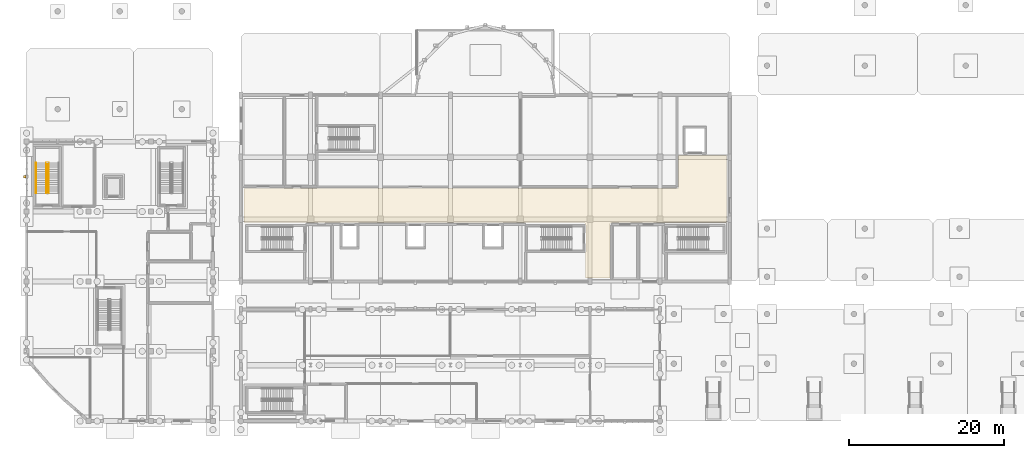
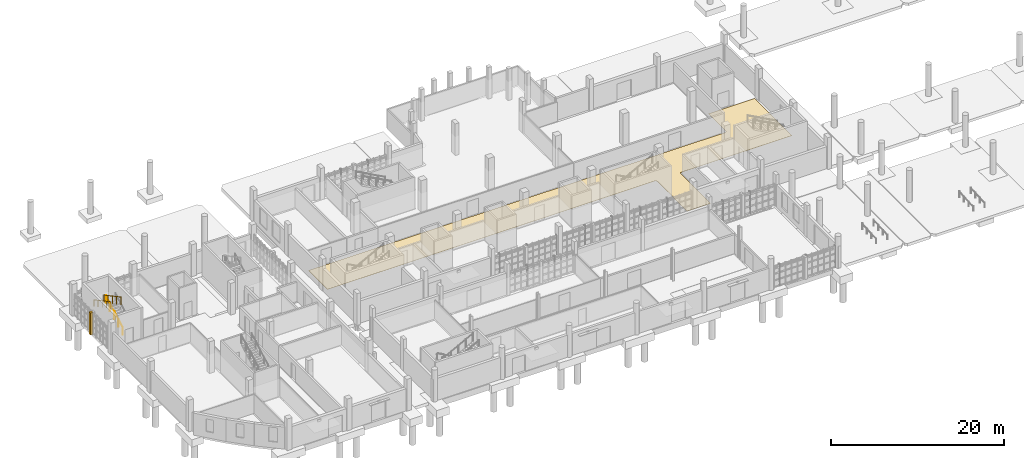
# One storey, part 56 of 63: 3 railings, 2 coverings.
"""IFC4 building model written with IfcOpenShell, lengths in metres."""

from ifc_helpers import new_model, si_unit, direction, frame, origin, origin_2d, place, context, subcontext, project, spatial, polyline, circle, outline, extrude, material, layer, layer_set, type_object, element, save


model = new_model("IFC4")

# Units and contexts
model_context = context("Model", 3, precision=1e-05, world=origin(), true_north=direction((0.0, 1.0)))
body_context = subcontext(model_context, "Body", "Model", "MODEL_VIEW")
ifc_project = project(units=[si_unit("LENGTHUNIT", "METRE"), si_unit("AREAUNIT", "SQUARE_METRE"), si_unit("VOLUMEUNIT", "CUBIC_METRE"), si_unit("PLANEANGLEUNIT", "RADIAN"), si_unit("MASSUNIT", "GRAM", prefix="KILO")], contexts=[model_context])

# Site, building, storey
site_placement = place(None, origin())
site = spatial("IfcSite", under=ifc_project, at=site_placement, CompositionType="ELEMENT")
building_placement = place(site_placement, origin())
building = spatial("IfcBuilding", under=site, at=building_placement, Name="Serraforn Aerial Cableway Station", CompositionType="ELEMENT")
storey_placement = place(building_placement, origin())
storey = spatial("IfcBuildingStorey", under=building, at=storey_placement, Name="L00", CompositionType="ELEMENT", Elevation=0.0)

# Coverings
ifc_material_1 = material(Name="Fluted patinated bronze Art Deco pilaster cladding")
ifc_layer_1 = layer(ifc_material_1, 0.034912109375)
ifc_layer_set_1 = layer_set([ifc_layer_1], Name="Fluted patinated bronze Art Deco pilaster cladding")
covering_type_1 = type_object("IfcCoveringType", Name="COV-CLAD-BRZ", PredefinedType="CLADDING", material=ifc_layer_set_1)
covering_1_placement = place(storey_placement, origin())
element("IfcCovering", 1, at=covering_1_placement, inside=storey, type_object=covering_type_1, Name="Art Deco Bronze Pilaster Cladding W-L00-W4", PredefinedType="CLADDING", context=body_context, shape_type="SweptSolid", body=[
    extrude(outline(polyline([(-0.3798828125, 31.340087890625), (-0.06005859375, 31.340087890625), (-0.06005859375, 31.659912109375), (-0.3798828125, 31.659912109375), (-0.3798828125, 31.340087890625)])), origin(), (0.0, 0.0, 1.0), 3.1201171875),
])
ifc_material_2 = material(Name="Honed Montjuic limestone flooring", Category="masonry")
ifc_layer_2 = layer(ifc_material_2, 0.030029296875)
ifc_layer_set_2 = layer_set([ifc_layer_2], Name="Honed Montjuic limestone flooring")
covering_type_2 = type_object("IfcCoveringType", Name="COV-FLR-STN", PredefinedType="FLOORING", material=ifc_layer_set_2)
covering_2_placement = place(storey_placement, origin())
element("IfcCovering", 2, at=covering_2_placement, inside=storey, type_object=covering_type_2, Name="Flooring L00-15", PredefinedType="FLOORING", context=body_context, shape_type="SweptSolid", body=[
    extrude(outline(polyline([(72.02001953125, 18.419921875), (72.02001953125, 21.73388671875), (72.02294921875, 21.73779296875), (72.033935546875, 21.75634765625), (72.043212890625, 21.77587890625), (72.050537109375, 21.796142578125), (72.055908203125, 21.817138671875), (72.058837890625, 21.83837890625), (72.06005859375, 21.860107421875), (72.06005859375, 25.199951171875), (72.058837890625, 25.2216796875), (72.055908203125, 25.242919921875), (72.050537109375, 25.263916015625), (72.043212890625, 25.2841796875), (72.033935546875, 25.3037109375), (72.02294921875, 25.322265625), (72.02001953125, 25.326171875), (72.02001953125, 25.35009765625), (72.018798828125, 25.37158203125), (72.015869140625, 25.392822265625), (72.010498046875, 25.413818359375), (72.00341796875, 25.43408203125), (71.993896484375, 25.45361328125), (71.98291015625, 25.47216796875), (71.97021484375, 25.489501953125), (71.95556640625, 25.505615234375), (71.939697265625, 25.52001953125), (71.922119140625, 25.532958984375), (71.90380859375, 25.5439453125), (71.88427734375, 25.55322265625), (71.864013671875, 25.560546875), (71.843017578125, 25.56591796875), (71.821533203125, 25.56884765625), (71.800048828125, 25.570068359375), (28.02001953125, 25.570068359375), (28.02001953125, 29.97998046875), (83.800048828125, 29.97998046875), (83.821533203125, 29.981201171875), (83.843017578125, 29.984130859375), (83.864013671875, 29.989501953125), (83.88427734375, 29.99658203125), (83.90380859375, 30.006103515625), (83.922119140625, 30.01708984375), (83.939697265625, 30.02978515625), (83.95556640625, 30.04443359375), (83.97021484375, 30.060302734375), (83.98291015625, 30.077880859375), (83.993896484375, 30.09619140625), (84.00341796875, 30.11572265625), (84.010498046875, 30.135986328125), (84.015869140625, 30.156982421875), (84.018798828125, 30.178466796875), (84.02001953125, 30.199951171875), (84.02001953125, 34.22998046875), (90.179931640625, 34.22998046875), (90.179931640625, 25.570068359375), (75.39990234375, 25.570068359375), (75.37841796875, 25.56884765625), (75.357177734375, 25.56591796875), (75.336181640625, 25.560546875), (75.31591796875, 25.55322265625), (75.29638671875, 25.5439453125), (75.27783203125, 25.532958984375), (75.260498046875, 25.52001953125), (75.244384765625, 25.505615234375), (75.22998046875, 25.489501953125), (75.217041015625, 25.47216796875), (75.2060546875, 25.45361328125), (75.19677734375, 25.43408203125), (75.189453125, 25.413818359375), (75.18408203125, 25.392822265625), (75.18115234375, 25.37158203125), (75.179931640625, 25.35009765625), (75.179931640625, 18.419921875), (72.02001953125, 18.419921875)])), origin(), (0.0, 0.0, 1.0), 0.030029296875),
])

# Railings
ifc_material_3 = material(Name="Patinated bronze stair guardrail")
ifc_layer_3 = layer(ifc_material_3, 0.050048828125)
ifc_layer_set_3 = layer_set([ifc_layer_3], Name="Patinated bronze stair guardrail")
railing_type_1 = type_object("IfcRailingType", Name="RL-STR-GRD", PredefinedType="GUARDRAIL", material=ifc_layer_set_3)
railing_1_placement = place(storey_placement, frame((2.800048828125, 29.35009765625, 0.14990234375)))
element("IfcRailing", 3, at=railing_1_placement, inside=storey, type_object=railing_type_1, Name="L00 ST-01 stair guard 1", PredefinedType="GUARDRAIL", context=body_context, shape_type="SweptSolid", body=[
    extrude(circle(Radius=0.02392578125, at=origin_2d()), frame((0.0, 0.0, 1.076171875), z_axis=(0.0, 0.881466911329, 0.472245787945), x_axis=(-1.0, 0.0, 0.0)), (0.0, 0.0, 1.0), 4.447021484375),
    extrude(circle(Radius=0.02099609375, at=origin_2d()), origin(), (0.0, 0.0, 1.0), 1.052001953125),
    extrude(circle(Radius=0.02099609375, at=origin_2d()), frame((0.0, 0.97998046875, 0.52490234375)), (0.0, 0.0, 1.0), 1.052001953125),
    extrude(circle(Radius=0.02099609375, at=origin_2d()), frame((0.0, 1.9599609375, 1.050048828125)), (0.0, 0.0, 1.0), 1.052001953125),
    extrude(circle(Radius=0.02099609375, at=origin_2d()), frame((0.0, 2.93994140625, 1.5751953125)), (0.0, 0.0, 1.0), 1.052001953125),
    extrude(circle(Radius=0.02099609375, at=origin_2d()), frame((0.0, 3.919921875, 2.10009765625)), (0.0, 0.0, 1.0), 1.052001953125),
])
railing_2_placement = place(storey_placement, frame((2.5400390625, 33.27001953125, 2.39990234375)))
element("IfcRailing", 4, at=railing_2_placement, inside=storey, type_object=railing_type_1, Name="L00 ST-01 stair guard 3", PredefinedType="GUARDRAIL", context=body_context, shape_type="SweptSolid", body=[
    extrude(circle(Radius=0.02392578125, at=origin_2d()), frame((0.0, 0.0, 1.076171875), z_axis=(0.0, -0.881466911329, 0.472245787945), x_axis=(1.0, 0.0, 0.0)), (0.0, 0.0, 1.0), 4.447021484375),
    extrude(circle(Radius=0.02099609375, at=origin_2d()), origin(), (0.0, 0.0, 1.0), 1.052001953125),
    extrude(circle(Radius=0.02099609375, at=origin_2d()), frame((0.0, -0.97998046875, 0.52490234375)), (0.0, 0.0, 1.0), 1.052001953125),
    extrude(circle(Radius=0.02099609375, at=origin_2d()), frame((0.0, -1.9599609375, 1.050048828125)), (0.0, 0.0, 1.0), 1.052001953125),
    extrude(circle(Radius=0.02099609375, at=origin_2d()), frame((0.0, -2.93994140625, 1.5751953125)), (0.0, 0.0, 1.0), 1.052001953125),
    extrude(circle(Radius=0.02099609375, at=origin_2d()), frame((0.0, -3.919921875, 2.10009765625)), (0.0, 0.0, 1.0), 1.052001953125),
])
ifc_material_4 = material(Name="Brushed bronze tubular handrail")
ifc_layer_4 = layer(ifc_material_4, 0.048095703125)
ifc_layer_set_4 = layer_set([ifc_layer_4], Name="Brushed bronze tubular handrail")
railing_type_2 = type_object("IfcRailingType", Name="RL-STR-HDR", PredefinedType="HANDRAIL", material=ifc_layer_set_4)
railing_3_placement = place(storey_placement, frame((1.18994140625, 33.27001953125, 2.39990234375)))
element("IfcRailing", 5, at=railing_3_placement, inside=storey, type_object=railing_type_2, Name="L00 ST-01 stair handrail 2", PredefinedType="HANDRAIL", context=body_context, shape_type="SweptSolid", body=[
    extrude(circle(Radius=0.02392578125, at=origin_2d()), frame((0.0, 0.0, 0.8759765625), z_axis=(0.0, -0.881466911329, 0.472245787945), x_axis=(1.0, 0.0, 0.0)), (0.0, 0.0, 1.0), 4.447021484375),
    extrude(circle(Radius=0.02099609375, at=origin_2d()), origin(), (0.0, 0.0, 1.0), 0.851806640625),
    extrude(circle(Radius=0.02099609375, at=origin_2d()), frame((0.0, -0.97998046875, 0.52490234375)), (0.0, 0.0, 1.0), 0.851806640625),
    extrude(circle(Radius=0.02099609375, at=origin_2d()), frame((0.0, -1.9599609375, 1.050048828125)), (0.0, 0.0, 1.0), 0.851806640625),
    extrude(circle(Radius=0.02099609375, at=origin_2d()), frame((0.0, -2.93994140625, 1.5751953125)), (0.0, 0.0, 1.0), 0.851806640625),
    extrude(circle(Radius=0.02099609375, at=origin_2d()), frame((0.0, -3.919921875, 2.10009765625)), (0.0, 0.0, 1.0), 0.851806640625),
])

save(model, "model.ifc")
